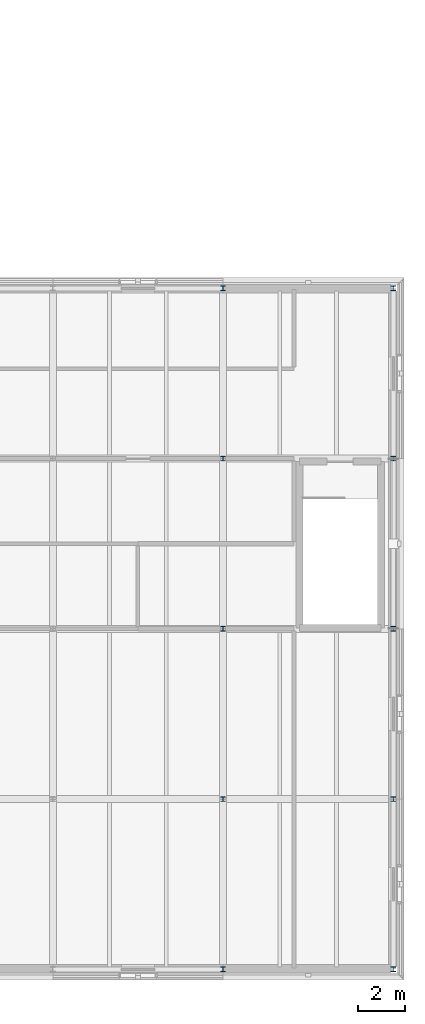
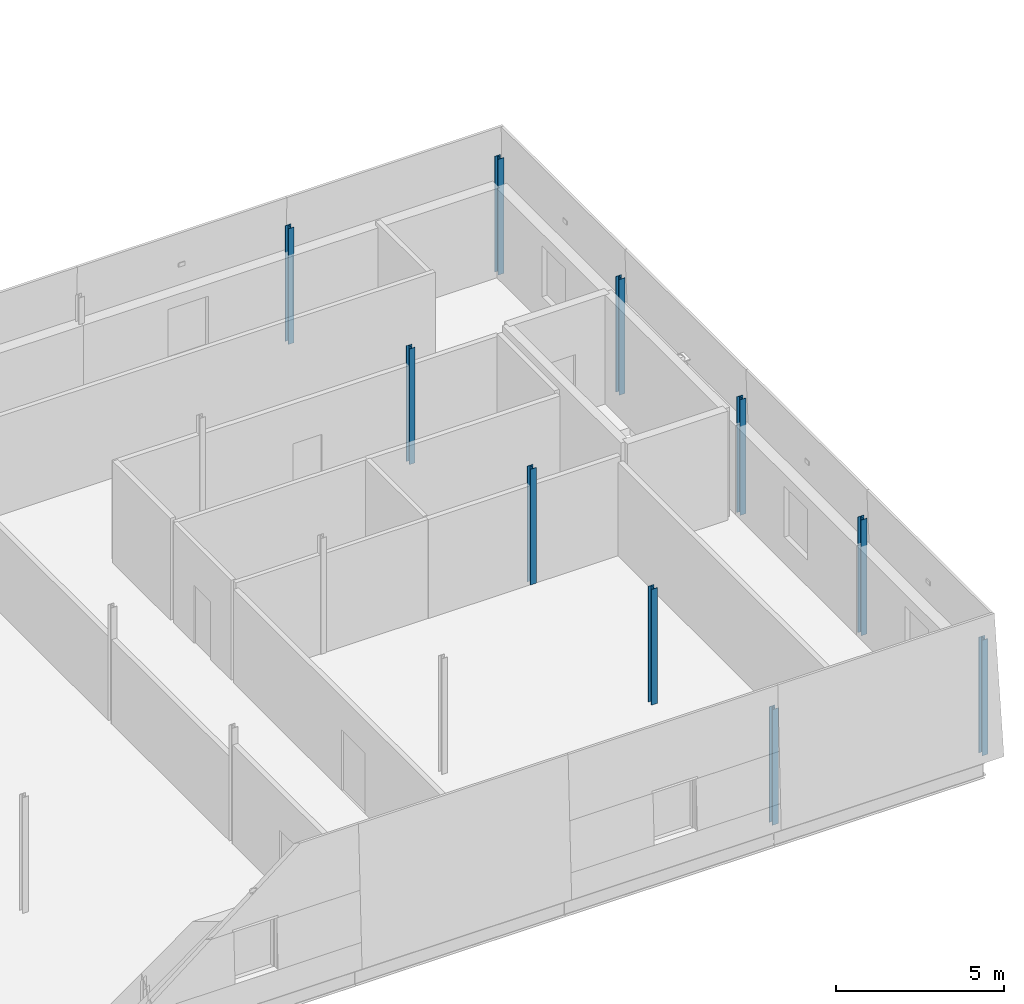
# One storey, part 12 of 91: 10 columns.
"""IFC4 building model written with IfcOpenShell, lengths in metres."""

from ifc_helpers import new_model, si_unit, direction, frame, origin, origin_2d, place, context, subcontext, project, spatial, i_section, extrude, material, material_profile, profile_set, type_object, element, save


model = new_model("IFC4")

# Units and contexts
model_context = context("Model", 3, precision=1e-05, world=origin(), true_north=direction((0.0, 1.0)))
body_context = subcontext(model_context, "Body", "Model", "MODEL_VIEW")
ifc_project = project(units=[si_unit("LENGTHUNIT", "METRE"), si_unit("AREAUNIT", "SQUARE_METRE"), si_unit("VOLUMEUNIT", "CUBIC_METRE"), si_unit("PLANEANGLEUNIT", "RADIAN"), si_unit("MASSUNIT", "GRAM", prefix="KILO")], contexts=[model_context])

# Site, building, storey
site_placement = place(None, origin())
site = spatial("IfcSite", under=ifc_project, at=site_placement, CompositionType="ELEMENT")
building_placement = place(site_placement, origin())
building = spatial("IfcBuilding", under=site, at=building_placement, Name="Narikvali Park Central Library", CompositionType="ELEMENT")
storey_placement = place(building_placement, frame((0.0, 0.0, 14.39990234375)))
storey = spatial("IfcBuildingStorey", under=building, at=storey_placement, Name="L03", CompositionType="ELEMENT", Elevation=14.39990234375)

# Columns
ifc_material = material(Name="Steel S355", Category="steel")
ifc_material_profile = material_profile(ifc_material, i_section(OverallWidth=0.199951171875, OverallDepth=0.199951171875, WebThickness=0.009033203125, FlangeThickness=0.014892578125, FilletRadius=0.01806640625, at=origin_2d()), Name="HEB 200")
ifc_profile_set = profile_set([ifc_material_profile], Name="Steel S355")
column_type = type_object("IfcColumnType", Name="Steel Column HEB200", PredefinedType="COLUMN", material=ifc_profile_set)
for number, where, z_axis, x_axis, name in (
    (1, (158.39990234375, 0.0, 0.0), (0.0, 0.0, 1.0), (1.0, 0.0, 0.0), "V6 L03 Column (158.4,0.0)"),
    (2, (158.39990234375, 7.199951171875, 0.0), (0.0, 0.0, 1.0), (1.0, 0.0, 0.0), "V6 L03 Column (158.4,7.2)"),
    (3, (158.39990234375, 14.39990234375, 0.0), (0.0, 0.0, 1.0), (1.0, 0.0, 0.0), "V6 L03 Column (158.4,14.4)"),
    (4, (158.39990234375, 21.60009765625, 0.0), (0.0, 0.0, 1.0), (1.0, 0.0, 0.0), "V6 L03 Column (158.4,21.6)"),
    (5, (158.39990234375, 28.800048828125, 0.0), (0.0, 0.0, 1.0), (1.0, 0.0, 0.0), "V6 L03 Column (158.4,28.8)"),
    (6, (165.60009765625, 0.0, 0.0), (0.0, 0.0, 1.0), (1.0, 0.0, 0.0), "V6 L03 Column (165.6,0.0)"),
    (7, (165.60009765625, 7.199951171875, 0.0), (0.0, 0.0, 1.0), (1.0, 0.0, 0.0), "V6 L03 Column (165.6,7.2)"),
    (8, (165.60009765625, 14.39990234375, 0.0), (0.0, 0.0, 1.0), (1.0, 0.0, 0.0), "V6 L03 Column (165.6,14.4)"),
    (9, (165.60009765625, 21.60009765625, 0.0), (0.0, 0.0, 1.0), (1.0, 0.0, 0.0), "V6 L03 Column (165.6,21.6)"),
    (10, (165.60009765625, 28.800048828125, 0.0), (0.0, 0.0, 1.0), (1.0, 0.0, 0.0), "V6 L03 Column (165.6,28.8)"),
):
    element("IfcColumn", number, at=place(storey_placement, frame(where, z_axis=z_axis, x_axis=x_axis)), inside=storey, type_object=column_type, Name=name, PredefinedType="COLUMN", context=body_context, shape_type="SweptSolid", body=[
        extrude(i_section(OverallWidth=0.199951171875, OverallDepth=0.199951171875, WebThickness=0.009033203125, FlangeThickness=0.014892578125, FilletRadius=0.01806640625, at=origin_2d()), origin(), (0.0, 0.0, 1.0), 4.2001953125),
    ])

save(model, "model.ifc")
